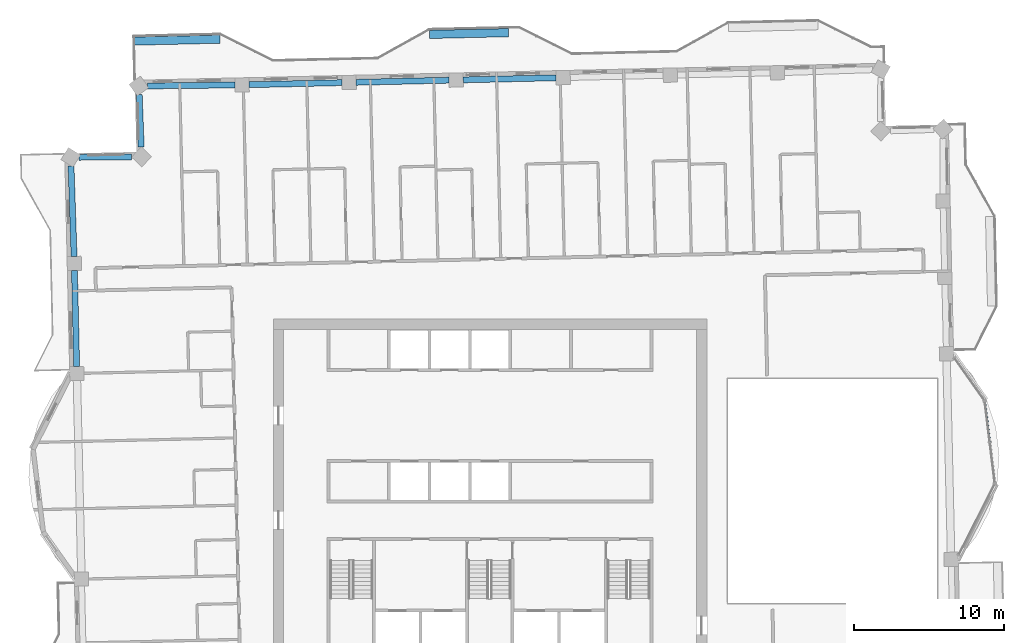
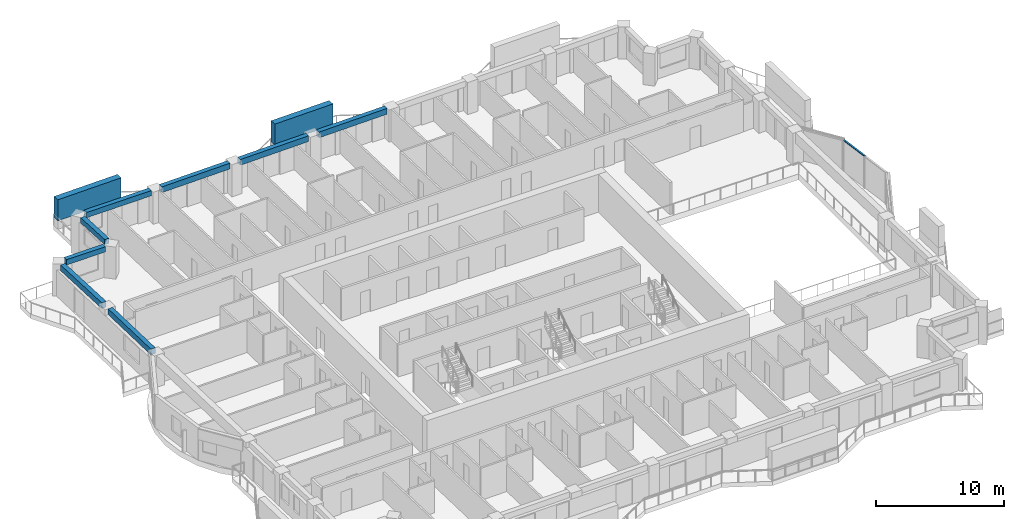
# One storey, part 3 of 18: 8 beams, 3 members, 1 element without a shape of its own.
"""IFC4 building model written with IfcOpenShell, lengths in metres."""

from ifc_helpers import new_model, si_unit, direction, frame, origin, origin_2d, place, context, subcontext, project, spatial, rectangle, extrude, material, material_profile, profile_set, type_object, element, aggregate, save


model = new_model("IFC4")

# Units and contexts
model_context = context("Model", 3, precision=1e-05, world=origin(), true_north=direction((0.0, 1.0)))
body_context = subcontext(model_context, "Body", "Model", "MODEL_VIEW")
ifc_project = project(units=[si_unit("LENGTHUNIT", "METRE"), si_unit("AREAUNIT", "SQUARE_METRE"), si_unit("VOLUMEUNIT", "CUBIC_METRE"), si_unit("PLANEANGLEUNIT", "RADIAN"), si_unit("MASSUNIT", "GRAM", prefix="KILO")], contexts=[model_context])

# Site, building, storey
site_placement = place(None, origin())
site = spatial("IfcSite", under=ifc_project, at=site_placement, CompositionType="ELEMENT")
building_placement = place(site_placement, origin())
building = spatial("IfcBuilding", under=site, at=building_placement, Name="Mangrove Gate Tower", CompositionType="ELEMENT")
storey_placement = place(building_placement, frame((0.0, 0.0, 290.699951171875)))
storey = spatial("IfcBuildingStorey", under=building, at=storey_placement, Name="L74", CompositionType="ELEMENT", Elevation=290.699951171875)

# Curtain wall, member
ifc_material_1 = material(Name="Aluminium and glass curtain wall", Category="aluminium")
curtain_wall_type = type_object("IfcCurtainWallType", Name="Atrium garden-court glazing wall", PredefinedType="NOTDEFINED", material=ifc_material_1)
curtain_wall_placement = place(storey_placement, origin())
curtain_wall = element("IfcCurtainWall", 1, at=curtain_wall_placement, inside=storey, type_object=curtain_wall_type, Name="Atrium garden-court glazing E1f2", PredefinedType="NOTDEFINED")
ifc_material_2 = material(Name="Aluminium alloy 6063-T6", Category="aluminium")
ifc_material_profile_1 = material_profile(ifc_material_2, rectangle(XDim=0.070068359375, YDim=0.14990234375, at=origin_2d()))
ifc_profile_set_1 = profile_set([ifc_material_profile_1], Name="Aluminium alloy 6063-T6")
member_type_1 = type_object("IfcMemberType", Name="Atrium garden-court glazing transom 70x150", PredefinedType="USERDEFINED", material=ifc_profile_set_1)
member_1_placement = place(storey_placement, frame((33.419189453125, 3.306640625, 3.01513671875), z_axis=(-0.122174517154, 0.992508633392, 0.0), x_axis=(0.0, 0.0, 1.0)))
member_1 = element("IfcMember", 2, at=member_1_placement, type_object=member_type_1, Name="CWA transom 2.2", ObjectType="TRANSOM", PredefinedType="USERDEFINED", context=body_context, shape_type="SweptSolid", body=[
    extrude(rectangle(XDim=0.070068359375, YDim=0.14990234375, at=origin_2d()), origin(), (0.0, 0.0, 1.0), 2.681640625),
])
aggregate(curtain_wall, [member_1])

# Members
ifc_material_3 = material(Name="Planting on aluminium trellis", Category="aluminium")
ifc_material_profile_2 = material_profile(ifc_material_3, rectangle(XDim=0.550048828125, YDim=2.0, at=origin_2d()))
ifc_profile_set_2 = profile_set([ifc_material_profile_2], Name="Planting on aluminium trellis")
member_type_2 = type_object("IfcMemberType", Name="Balcony greenery screen 550x2000", PredefinedType="USERDEFINED", material=ifc_profile_set_2)
member_2_placement = place(storey_placement, frame((-23.820068359375, 30.095947265625, 1.800048828125), z_axis=(0.999745450448, 0.022561788682, 0.0), x_axis=(-0.022561788682, 0.999745450448, 0.0)))
element("IfcMember", 3, at=member_2_placement, inside=storey, type_object=member_type_2, Name="GREEN SCREEN L74 N1.1", ObjectType="PLANTING", PredefinedType="USERDEFINED", context=body_context, shape_type="SweptSolid", body=[
    extrude(rectangle(XDim=0.550048828125, YDim=2.0, at=origin_2d()), origin(), (0.0, 0.0, 1.0), 5.767578125),
])
member_3_placement = place(storey_placement, frame((-4.056884765625, 30.5439453125, 1.800048828125), z_axis=(0.999743070872, 0.022666985754, 0.0), x_axis=(-0.022666985754, 0.999743070872, 0.0)))
element("IfcMember", 4, at=member_3_placement, inside=storey, type_object=member_type_2, Name="GREEN SCREEN L74 N1.2", ObjectType="PLANTING", PredefinedType="USERDEFINED", context=body_context, shape_type="SweptSolid", body=[
    extrude(rectangle(XDim=0.550048828125, YDim=2.0, at=origin_2d()), origin(), (0.0, 0.0, 1.0), 5.29931640625),
])

# Beams
ifc_material_4 = material(Name="Concrete C50/60", Category="concrete")
ifc_material_profile_3 = material_profile(ifc_material_4, rectangle(XDim=0.39990234375, YDim=0.5, at=origin_2d()))
ifc_profile_set_3 = profile_set([ifc_material_profile_3], Name="Concrete C50/60")
beam_type_1 = type_object("IfcBeamType", Name="Edge beam RC 400x500 C50/60", PredefinedType="BEAM", material=ifc_profile_set_3)
beam_1_placement = place(storey_placement, frame((-17.064208984375, 27.163818359375, 2.800048828125), z_axis=(-0.999938328847, -0.011105786867, 0.0), x_axis=(0.011105786867, -0.999938328847, 0.0)))
element("IfcBeam", 5, at=beam_1_placement, inside=storey, type_object=beam_type_1, Name="Edge beam L74 28", PredefinedType="BEAM", context=body_context, shape_type="SweptSolid", body=[
    extrude(rectangle(XDim=0.39990234375, YDim=0.5, at=origin_2d()), origin(), (0.0, 0.0, 1.0), 5.847412109375),
])
beam_2_placement = place(storey_placement, frame((-23.46630859375, 26.52685546875, 2.800048828125), z_axis=(0.037803278798, -0.999285200587, 0.0), x_axis=(0.999285200587, 0.037803278798, 0.0)))
element("IfcBeam", 6, at=beam_2_placement, inside=storey, type_object=beam_type_1, Name="Edge beam L74 29", PredefinedType="BEAM", context=body_context, shape_type="SweptSolid", body=[
    extrude(rectangle(XDim=0.39990234375, YDim=0.5, at=origin_2d()), origin(), (0.0, 0.0, 1.0), 3.51318359375),
])
beam_3_placement = place(storey_placement, frame((-23.9697265625, 22.3505859375, 2.800048828125), z_axis=(-0.999978236017, -0.006597536803, 0.0), x_axis=(0.006597536803, -0.999978236017, 0.0)))
element("IfcBeam", 7, at=beam_3_placement, inside=storey, type_object=beam_type_1, Name="Edge beam L74 30", PredefinedType="BEAM", context=body_context, shape_type="SweptSolid", body=[
    extrude(rectangle(XDim=0.39990234375, YDim=0.5, at=origin_2d()), origin(), (0.0, 0.0, 1.0), 3.515380859375),
])
ifc_material_5 = material(Name="Concrete C50/60", Category="concrete")
ifc_material_profile_4 = material_profile(ifc_material_5, rectangle(XDim=0.39990234375, YDim=0.550048828125, at=origin_2d()))
ifc_profile_set_4 = profile_set([ifc_material_profile_4], Name="Concrete C50/60")
beam_type_2 = type_object("IfcBeamType", Name="Edge beam RC 400x550 C50/60", PredefinedType="BEAM", material=ifc_profile_set_4)
beam_4_placement = place(storey_placement, frame((4.4169921875, 27.645263671875, 2.775146484375), z_axis=(-0.999744627938, -0.022598205876, 0.0), x_axis=(0.022598205876, -0.999744627938, 0.0)))
element("IfcBeam", 8, at=beam_4_placement, inside=storey, type_object=beam_type_2, Name="Edge beam L74 25", PredefinedType="BEAM", context=body_context, shape_type="SweptSolid", body=[
    extrude(rectangle(XDim=0.39990234375, YDim=0.550048828125, at=origin_2d()), origin(), (0.0, 0.0, 1.0), 6.2119140625),
])
beam_5_placement = place(storey_placement, frame((-2.7431640625, 27.4833984375, 2.775146484375), z_axis=(-0.999741125002, -0.022752647749, 0.0), x_axis=(0.022752647749, -0.999741125002, 0.0)))
element("IfcBeam", 9, at=beam_5_placement, inside=storey, type_object=beam_type_2, Name="Edge beam L74 26", PredefinedType="BEAM", context=body_context, shape_type="SweptSolid", body=[
    extrude(rectangle(XDim=0.39990234375, YDim=0.550048828125, at=origin_2d()), origin(), (0.0, 0.0, 1.0), 6.212890625),
])
beam_6_placement = place(storey_placement, frame((-9.904052734375, 27.3203125, 2.775146484375), z_axis=(-0.999744607867, -0.022599093821, 0.0), x_axis=(0.022599093821, -0.999744607867, 0.0)))
element("IfcBeam", 10, at=beam_6_placement, inside=storey, type_object=beam_type_2, Name="Edge beam L74 27", PredefinedType="BEAM", context=body_context, shape_type="SweptSolid", body=[
    extrude(rectangle(XDim=0.39990234375, YDim=0.550048828125, at=origin_2d()), origin(), (0.0, 0.0, 1.0), 6.211669921875),
])
beam_7_placement = place(storey_placement, frame((-28.027099609375, 21.7529296875, 2.775146484375), z_axis=(0.033530874291, -0.999437682134, 0.0), x_axis=(0.999437682134, 0.033530874291, 0.0)))
element("IfcBeam", 11, at=beam_7_placement, inside=storey, type_object=beam_type_2, Name="Edge beam L74 31", PredefinedType="BEAM", context=body_context, shape_type="SweptSolid", body=[
    extrude(rectangle(XDim=0.39990234375, YDim=0.550048828125, at=origin_2d()), origin(), (0.0, 0.0, 1.0), 6.057861328125),
])
beam_8_placement = place(storey_placement, frame((-27.79736328125, 14.748779296875, 2.775146484375), z_axis=(0.022693727478, -0.999742464204, 0.0), x_axis=(0.999742464204, 0.022693727478, 0.0)))
element("IfcBeam", 12, at=beam_8_placement, inside=storey, type_object=beam_type_2, Name="Edge beam L74 32", PredefinedType="BEAM", context=body_context, shape_type="SweptSolid", body=[
    extrude(rectangle(XDim=0.39990234375, YDim=0.550048828125, at=origin_2d()), origin(), (0.0, 0.0, 1.0), 6.411865234375),
])

save(model, "model.ifc")
